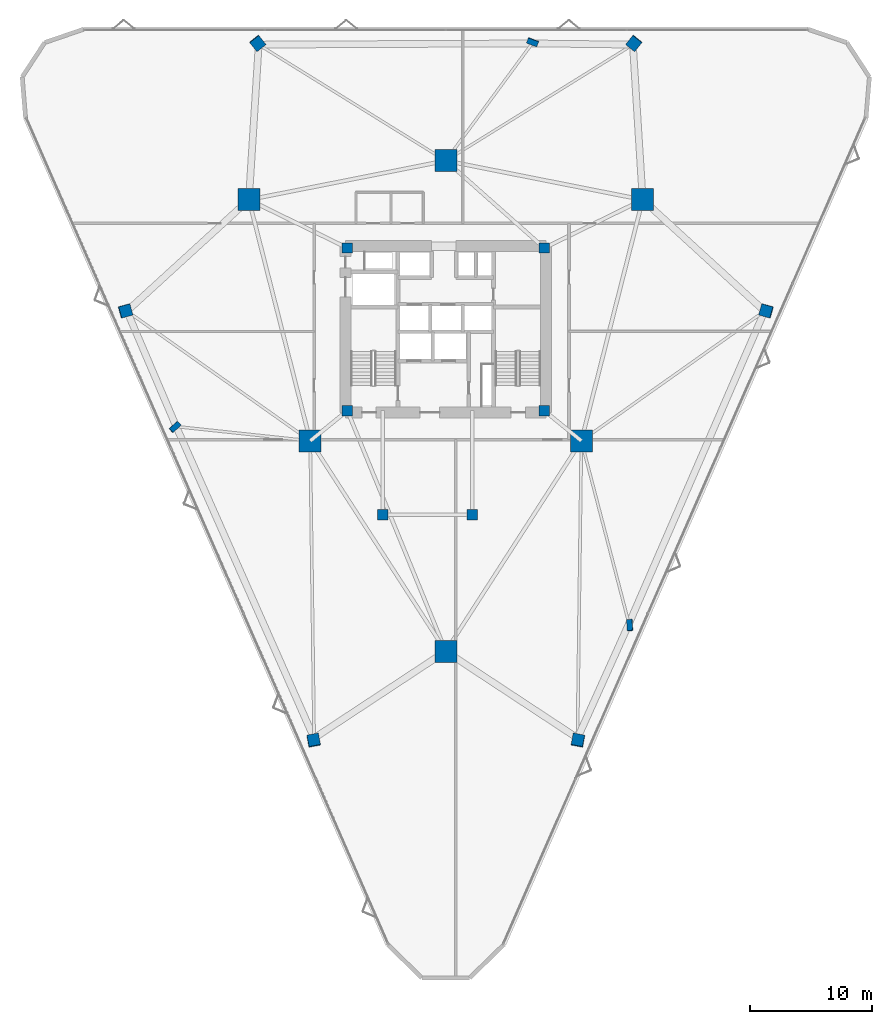
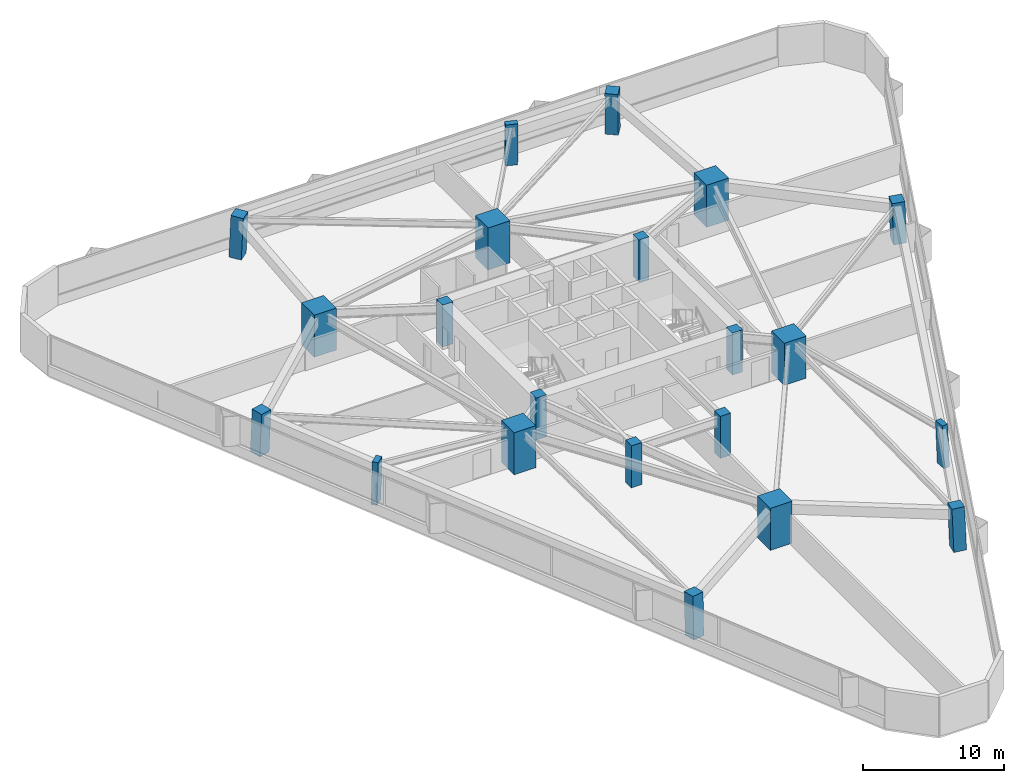
# One storey, part 1 of 20: 21 columns.
"""IFC4 building model written with IfcOpenShell, lengths in metres."""

from ifc_helpers import new_model, si_unit, direction, frame, origin, origin_2d, place, context, subcontext, project, spatial, rectangle, extrude, material, material_profile, profile_set, type_object, element, save


model = new_model("IFC4")

# Units and contexts
model_context = context("Model", 3, precision=1e-05, world=origin(), true_north=direction((0.0, 1.0)))
body_context = subcontext(model_context, "Body", "Model", "MODEL_VIEW")
ifc_project = project(units=[si_unit("LENGTHUNIT", "METRE"), si_unit("AREAUNIT", "SQUARE_METRE"), si_unit("VOLUMEUNIT", "CUBIC_METRE"), si_unit("PLANEANGLEUNIT", "RADIAN"), si_unit("MASSUNIT", "GRAM", prefix="KILO")], contexts=[model_context])

# Site, building, storey
site_placement = place(None, origin())
site = spatial("IfcSite", under=ifc_project, at=site_placement, CompositionType="ELEMENT")
building_placement = place(site_placement, origin())
building = spatial("IfcBuilding", under=site, at=building_placement, Name="Talyreon Biosciences Tower", CompositionType="ELEMENT")
storey_placement = place(building_placement, frame((0.0, 0.0, 26.449951171875)))
storey = spatial("IfcBuildingStorey", under=building, at=storey_placement, Name="L06", CompositionType="ELEMENT", Elevation=26.449951171875)

# Columns
ifc_material_1 = material(Name="Precast concrete C45/55", Category="concrete")
ifc_material_profile_1 = material_profile(ifc_material_1, rectangle(XDim=0.89990234375, YDim=0.449951171875, at=origin_2d()), Name="RC 900x450")
ifc_profile_set_1 = profile_set([ifc_material_profile_1], Name="Precast concrete C45/55")
column_type_1 = type_object("IfcColumnType", Name="FacadePilaster_900x450", PredefinedType="PILASTER", material=ifc_profile_set_1)
column_1_placement = place(storey_placement, frame((81.053466796875, 43.790283203125, 0.0029296875), z_axis=(-0.019612004119, 0.038286915892, 0.999074312234), x_axis=(0.059986729593, -0.997421247162, 0.039401116518)))
element("IfcColumn", 1, at=column_1_placement, inside=storey, type_object=column_type_1, Name="L06 Facade Pilaster PL-SE", PredefinedType="PILASTER", context=body_context, shape_type="SweptSolid", body=[
    extrude(rectangle(XDim=0.89990234375, YDim=0.449951171875, at=origin_2d()), origin(), (0.0, 0.0, 1.0), 3.6474609375),
])
column_2_placement = place(storey_placement, frame((73.106689453125, 91.50439453125, 0.0029296875), z_axis=(-0.01238655289, -0.033544124313, 0.999360478022), x_axis=(-0.9380871136, 0.346399433166, 0.0)))
element("IfcColumn", 2, at=column_2_placement, inside=storey, type_object=column_type_1, Name="L06 Facade Pilaster PL-N", PredefinedType="PILASTER", context=body_context, shape_type="SweptSolid", body=[
    extrude(rectangle(XDim=0.89990234375, YDim=0.449951171875, at=origin_2d()), origin(), (0.0, 0.0, 1.0), 3.646484375),
])
column_3_placement = place(storey_placement, frame((43.83984375, 60.009033203125, 0.0029296875), z_axis=(0.032006476949, 0.010512587617, 0.999432374368), x_axis=(0.744459923096, 0.666953747672, -0.030856463997)))
element("IfcColumn", 3, at=column_3_placement, inside=storey, type_object=column_type_1, Name="L06 Facade Pilaster PL-SW", PredefinedType="PILASTER", context=body_context, shape_type="SweptSolid", body=[
    extrude(rectangle(XDim=0.89990234375, YDim=0.449951171875, at=origin_2d()), origin(), (0.0, 0.0, 1.0), 3.64599609375),
])
ifc_material_2 = material(Name="Concrete C60/75", Category="concrete")
ifc_material_profile_2 = material_profile(ifc_material_2, rectangle(XDim=1.800048828125, YDim=1.800048828125, at=origin_2d()), Name="RC 1800x1800")
ifc_profile_set_2 = profile_set([ifc_material_profile_2], Name="Concrete C60/75")
column_type_2 = type_object("IfcColumnType", Name="MegaColumn_1800", PredefinedType="COLUMN", material=ifc_profile_set_2)
for number, where, z_axis, x_axis, name in (
    (4, (66.0, 41.6669921875, 0.0), (0.0, 0.0, 1.0), (1.0, 0.0, 0.0), "L06 Composite Mega-Column MC1"),
    (5, (82.102294921875, 78.5986328125, 0.0), (0.0, 0.0, 1.0), (1.0, 0.0, 0.0), "L06 Composite Mega-Column MC2"),
    (6, (49.897705078125, 78.5986328125, 0.0), (0.0, 0.0, 1.0), (1.0, 0.0, 0.0), "L06 Composite Mega-Column MC3"),
    (7, (77.086181640625, 58.88037109375, 0.0), (0.0, 0.0, 1.0), (1.0, 0.0, 0.0), "L06 Composite Mega-Column MC4"),
    (8, (66.0, 81.788818359375, 0.0), (0.0, 0.0, 1.0), (1.0, 0.0, 0.0), "L06 Composite Mega-Column MC5"),
    (9, (54.913818359375, 58.88037109375, 0.0), (0.0, 0.0, 1.0), (1.0, 0.0, 0.0), "L06 Composite Mega-Column MC6"),
):
    element("IfcColumn", number, at=place(storey_placement, frame(where, z_axis=z_axis, x_axis=x_axis)), inside=storey, type_object=column_type_2, Name=name, PredefinedType="COLUMN", context=body_context, shape_type="SweptSolid", body=[
        extrude(rectangle(XDim=1.800048828125, YDim=1.800048828125, at=origin_2d()), origin(), (0.0, 0.0, 1.0), 3.650146484375),
    ])
ifc_material_profile_3 = material_profile(ifc_material_2, rectangle(XDim=0.85009765625, YDim=0.85009765625, at=origin_2d()), Name="RC 850x850")
ifc_profile_set_3 = profile_set([ifc_material_profile_3], Name="Concrete C60/75")
column_type_3 = type_object("IfcColumnType", Name="PerimeterColumn_850", PredefinedType="COLUMN", material=ifc_profile_set_3)
for number, where, z_axis, x_axis, name in (
    (10, (57.949951171875, 61.35009765625, 0.0), (0.0, 0.0, 1.0), (1.0, 0.0, 0.0), "L06 Core Column CC1"),
    (11, (74.050048828125, 61.35009765625, 0.0), (0.0, 0.0, 1.0), (1.0, 0.0, 0.0), "L06 Core Column CC2"),
    (12, (74.050048828125, 74.64990234375, 0.0), (0.0, 0.0, 1.0), (1.0, 0.0, 0.0), "L06 Core Column CC3"),
    (13, (57.949951171875, 74.64990234375, 0.0), (0.0, 0.0, 1.0), (1.0, 0.0, 0.0), "L06 Core Column CC4"),
    (14, (60.85009765625, 52.840087890625, 0.0), (0.0, 0.0, 1.0), (1.0, 0.0, 0.0), "L06 Core Column CSW"),
    (15, (68.14990234375, 52.840087890625, 0.0), (0.0, 0.0, 1.0), (1.0, 0.0, 0.0), "L06 Core Column CSE"),
):
    element("IfcColumn", number, at=place(storey_placement, frame(where, z_axis=z_axis, x_axis=x_axis)), inside=storey, type_object=column_type_3, Name=name, PredefinedType="COLUMN", context=body_context, shape_type="SweptSolid", body=[
        extrude(rectangle(XDim=0.85009765625, YDim=0.85009765625, at=origin_2d()), origin(), (0.0, 0.0, 1.0), 3.650146484375),
    ])
ifc_material_profile_4 = material_profile(ifc_material_2, rectangle(XDim=0.949951171875, YDim=0.949951171875, at=origin_2d()), Name="RC 950x950")
ifc_profile_set_4 = profile_set([ifc_material_profile_4], Name="Concrete C60/75")
column_type_4 = type_object("IfcColumnType", Name="PerimeterColumn_950", PredefinedType="COLUMN", material=ifc_profile_set_4)
column_4_placement = place(storey_placement, frame((76.816162109375, 34.36962890625, 0.0029296875), z_axis=(-0.012375141264, 0.054450621561, 0.998439775695), x_axis=(-0.188687727005, -0.980704419672, 0.051144725185)))
element("IfcColumn", 16, at=column_4_placement, inside=storey, type_object=column_type_4, Name="L06 Tapering Perimeter Column PC-SE1", PredefinedType="COLUMN", context=body_context, shape_type="SweptSolid", body=[
    extrude(rectangle(XDim=0.949951171875, YDim=0.949951171875, at=origin_2d()), origin(), (0.0, 0.0, 1.0), 3.649658203125),
])
column_5_placement = place(storey_placement, frame((92.214111328125, 69.510009765625, 0.0029296875), z_axis=(-0.039229493406, -0.00569028488, 0.999214024874), x_axis=(0.963342443219, -0.265806519087, 0.036307457966)))
element("IfcColumn", 17, at=column_5_placement, inside=storey, type_object=column_type_4, Name="L06 Tapering Perimeter Column PC-SE2", PredefinedType="COLUMN", context=body_context, shape_type="SweptSolid", body=[
    extrude(rectangle(XDim=0.949951171875, YDim=0.949951171875, at=origin_2d()), origin(), (0.0, 0.0, 1.0), 3.64697265625),
])
for number, where, z_axis, x_axis, name in (
    (18, (81.39794921875, 91.404296875, 0.0029296875), (-0.026841076243, -0.033534611465, 0.999077067328), (-0.780716755404, 0.624885067698, 0.0), "L06 Tapering Perimeter Column PC-N1"),
    (19, (50.60205078125, 91.404296875, 0.0029296875), (0.026841076243, -0.033534611465, 0.999077067328), (-0.780716755404, -0.624885067698, 0.0), "L06 Tapering Perimeter Column PC-N2"),
):
    element("IfcColumn", number, at=place(storey_placement, frame(where, z_axis=z_axis, x_axis=x_axis)), inside=storey, type_object=column_type_4, Name=name, PredefinedType="COLUMN", context=body_context, shape_type="SweptSolid", body=[
        extrude(rectangle(XDim=0.949951171875, YDim=0.949951171875, at=origin_2d()), origin(), (0.0, 0.0, 1.0), 3.6474609375),
    ])
column_6_placement = place(storey_placement, frame((39.785888671875, 69.510009765625, 0.0029296875), z_axis=(0.039229493406, -0.00569028488, 0.999214024874), x_axis=(0.963342443219, 0.265806519087, -0.036307457966)))
element("IfcColumn", 20, at=column_6_placement, inside=storey, type_object=column_type_4, Name="L06 Tapering Perimeter Column PC-SW1", PredefinedType="COLUMN", context=body_context, shape_type="SweptSolid", body=[
    extrude(rectangle(XDim=0.949951171875, YDim=0.949951171875, at=origin_2d()), origin(), (0.0, 0.0, 1.0), 3.64697265625),
])
column_7_placement = place(storey_placement, frame((55.183837890625, 34.36962890625, 0.0029296875), z_axis=(0.012375141264, 0.054450621561, 0.998439775695), x_axis=(-0.188687727005, 0.980704419672, -0.051144725185)))
element("IfcColumn", 21, at=column_7_placement, inside=storey, type_object=column_type_4, Name="L06 Tapering Perimeter Column PC-SW2", PredefinedType="COLUMN", context=body_context, shape_type="SweptSolid", body=[
    extrude(rectangle(XDim=0.949951171875, YDim=0.949951171875, at=origin_2d()), origin(), (0.0, 0.0, 1.0), 3.649658203125),
])

save(model, "model.ifc")
